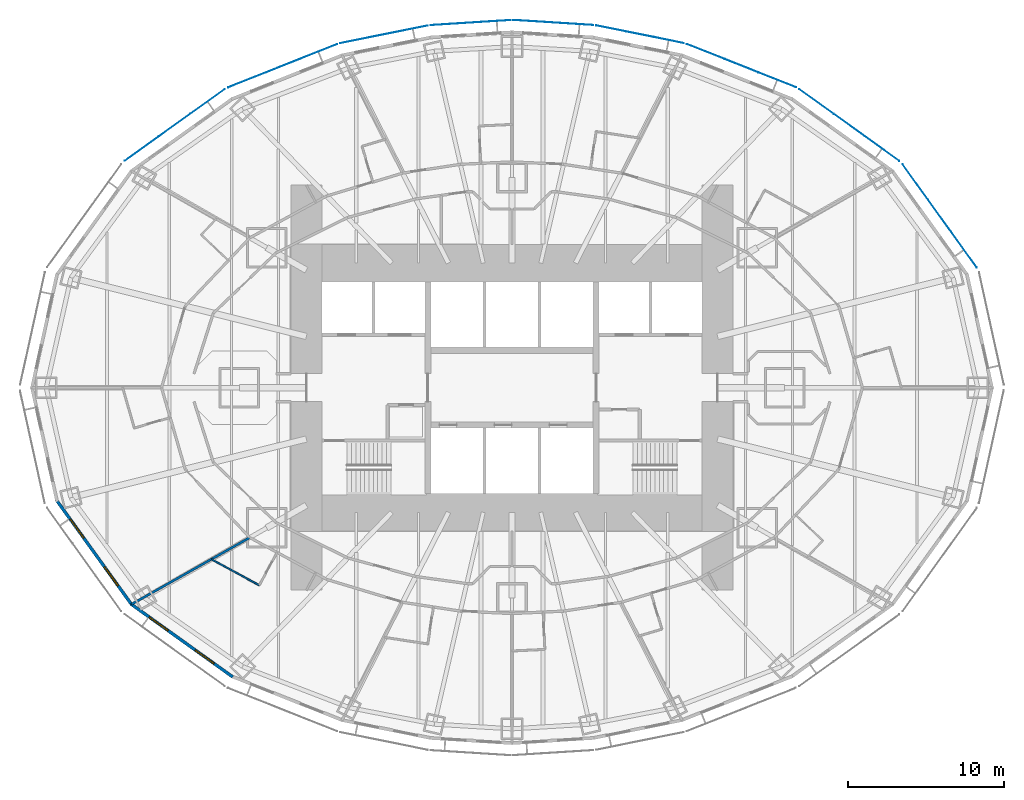
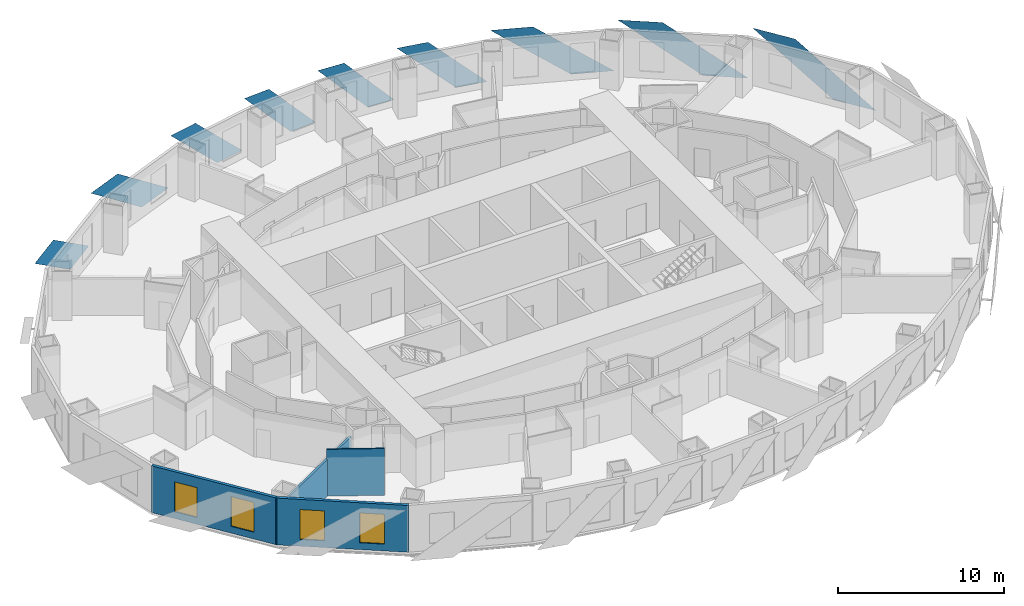
# One storey, part 4 of 15: 9 plates, 4 walls, 4 windows, 4 openings.
"""IFC4 building model written with IfcOpenShell, lengths in metres."""

from ifc_helpers import new_model, si_unit, direction, frame, frame_2d, origin, place, context, subcontext, project, spatial, polyline, rectangle, outline, extrude, material, layer, layer_set, type_object, element, fill, save


model = new_model("IFC4")

# Units and contexts
model_context = context("Model", 3, precision=1e-05, world=origin(), true_north=direction((0.0, 1.0)))
body_context = subcontext(model_context, "Body", "Model", "MODEL_VIEW")
ifc_project = project(units=[si_unit("LENGTHUNIT", "METRE"), si_unit("AREAUNIT", "SQUARE_METRE"), si_unit("VOLUMEUNIT", "CUBIC_METRE"), si_unit("PLANEANGLEUNIT", "RADIAN"), si_unit("MASSUNIT", "GRAM", prefix="KILO")], contexts=[model_context])

# Site, building, storey
site_placement = place(None, origin())
site = spatial("IfcSite", under=ifc_project, at=site_placement, CompositionType="ELEMENT")
building_placement = place(site_placement, origin())
building = spatial("IfcBuilding", under=site, at=building_placement, Name="Lantaw Convention Tower", CompositionType="ELEMENT")
storey_placement = place(building_placement, frame((0.0, 0.0, 83.800048828125)))
storey = spatial("IfcBuildingStorey", under=building, at=storey_placement, Name="L19", CompositionType="ELEMENT", Elevation=83.800048828125)

# Plates
ifc_material_1 = material(Name="Perforated aluminium sheet, pale silver finish", Category="aluminium")
ifc_layer_1 = layer(ifc_material_1, 0.006103515625)
ifc_layer_set_1 = layer_set([ifc_layer_1], Name="Perforated aluminium solar SCREEN panel")
plate_type = type_object("IfcPlateType", Name="Perforated aluminium solar SCREEN panel", PredefinedType="SHEET", material=ifc_layer_set_1)
plate_1_placement = place(storey_placement, frame((29.847900390625, 7.720947265625, -0.175048828125), z_axis=(0.811791382613, 0.583947558463, 9.019268e-06), x_axis=(-0.583947558486, 0.811791382646, 0.0)))
element("IfcPlate", 1, at=plate_1_placement, inside=storey, type_object=plate_type, Name="Solar SCREEN panel", PredefinedType="SHEET", context=body_context, shape_type="SweptSolid", body=[
    extrude(outline(polyline([(0.0, 0.0), (2.809541672291133, 0.0), (8.163093158837512, 3.739990234527119), (5.353551486546379, 3.739990234527119), (0.0, 0.0)])), origin(), (0.0, 0.0, -1.0), 0.006103515625),
])
plate_2_placement = place(storey_placement, frame((24.872314453125, 14.555908203125, -0.175048828125), z_axis=(0.582561421998, 0.812786681331, 1.5819417e-05), x_axis=(-0.812786681433, 0.582561422071, 0.0)))
element("IfcPlate", 2, at=plate_2_placement, inside=storey, type_object=plate_type, Name="Solar SCREEN panel", PredefinedType="SHEET", context=body_context, shape_type="SweptSolid", body=[
    extrude(outline(polyline([(0.0, 0.0), (2.721095180812288, 3.3881317890172014e-21), (7.903118572410756, 3.739990234842974), (5.182023391598468, 3.739990234842974), (0.0, 0.0)])), origin(), (0.0, 0.0, -1.0), 0.006103515625),
])
plate_3_placement = place(storey_placement, frame((18.232177734375, 19.278076171875, -0.175048828125), z_axis=(-0.369183532846, -0.929356508016, 9.163296e-06), x_axis=(-0.929356508055, 0.369183532862, 0.0)))
element("IfcPlate", 3, at=plate_3_placement, inside=storey, type_object=plate_type, Name="Solar SCREEN panel", PredefinedType="SHEET", context=body_context, shape_type="SweptSolid", body=[
    extrude(outline(polyline([(0.0, 0.0), (2.594936467166582, -1.6940658945086007e-21), (7.5321069917580825, -3.739990234532016), (4.937170524591499, -3.739990234532016), (0.0, 0.0)])), origin(), (0.0, 0.0, -1.0), 0.006103515625),
])
plate_4_placement = place(storey_placement, frame((11.03271484375, 22.117919921875, -0.175048828125), z_axis=(-0.197781876197, -0.980246055561, 2.418535e-06), x_axis=(-0.980246055563, 0.197781876198, 1.46e-10)))
element("IfcPlate", 4, at=plate_4_placement, inside=storey, type_object=plate_type, Name="Solar SCREEN panel", PredefinedType="SHEET", context=body_context, shape_type="SweptSolid", body=[
    extrude(outline(polyline([(0.0, 0.0), (1.9867801772236329, -3.1763735522036263e-22), (5.743587245978565, -3.7399902335493134), (3.7568553553458006, -3.739990234128105), (0.0, 0.0)])), origin(), (0.0, 0.0, -1.0), 0.006103515625),
])
plate_5_placement = place(storey_placement, frame((5.221923828125, 23.27783203125, -0.175048828125), z_axis=(-0.062923905251, -0.998018327468, 1.3605496e-05), x_axis=(-0.998018327561, 0.062923905257, 9.3e-10)))
element("IfcPlate", 5, at=plate_5_placement, inside=storey, type_object=plate_type, Name="Solar SCREEN panel", PredefinedType="SHEET", context=body_context, shape_type="SweptSolid", body=[
    extrude(outline(polyline([(0.0, 0.0), (1.7828375409377817, -2.117582368135751e-22), (5.143985963027618, -3.739990229938699), (3.3611637843713935, -3.7399902332537565), (0.0, 0.0)])), origin(), (0.0, 0.0, -1.0), 0.006103515625),
])
plate_6_placement = place(storey_placement, frame((-0.088134765625, 23.6015625, -0.175048828125), z_axis=(-0.062923905251, 0.998018327468, 1.3605496e-05), x_axis=(-0.998018327561, -0.062923905257, -9.3e-10)))
element("IfcPlate", 6, at=plate_6_placement, inside=storey, type_object=plate_type, Name="Solar SCREEN panel", PredefinedType="SHEET", context=body_context, shape_type="SweptSolid", body=[
    extrude(outline(polyline([(0.0, 0.0), (1.782822178656225, -2.117582368135751e-22), (5.143985956073316, 3.7399902395036517), (3.3611484151355353, 3.7399902361885653), (0.0, 0.0)])), origin(), (0.0, 0.0, -1.0), 0.006103515625),
])
plate_7_placement = place(storey_placement, frame((-5.402587890625, 23.25390625, -0.175048828125), z_axis=(-0.197781876197, 0.980246055561, 2.418535e-06), x_axis=(-0.980246055563, -0.197781876198, -1.46e-10)))
element("IfcPlate", 7, at=plate_7_placement, inside=storey, type_object=plate_type, Name="Solar SCREEN panel", PredefinedType="SHEET", context=body_context, shape_type="SweptSolid", body=[
    extrude(outline(polyline([(0.0, 0.0), (1.9867318906327642, 1.0587911840678754e-22), (5.743587244888999, 3.7399902352225842), (3.7568070676653664, 3.7399902346437783), (0.0, 0.0)])), origin(), (0.0, 0.0, -1.0), 0.006103515625),
])
plate_8_placement = place(storey_placement, frame((-11.232177734375, 22.058837890625, -0.175048828125), z_axis=(-0.369183532846, 0.929356508016, 9.163296e-06), x_axis=(-0.929356508055, -0.369183532862, 0.0)))
element("IfcPlate", 8, at=plate_8_placement, inside=storey, type_object=plate_type, Name="Solar SCREEN panel", PredefinedType="SHEET", context=body_context, shape_type="SweptSolid", body=[
    extrude(outline(polyline([(0.0, 0.0), (2.594936467166582, 1.6940658945086007e-21), (7.5321069917580825, 3.739990234532016), (4.937170524591499, 3.739990234532016), (0.0, 0.0)])), origin(), (0.0, 0.0, -1.0), 0.006103515625),
])
plate_9_placement = place(storey_placement, frame((-18.44873046875, 19.159912109375, -0.175048828125), z_axis=(0.582561421998, -0.812786681331, 1.5819417e-05), x_axis=(-0.812786681433, -0.582561422071, 0.0)))
element("IfcPlate", 9, at=plate_9_placement, inside=storey, type_object=plate_type, Name="Solar SCREEN panel", PredefinedType="SHEET", context=body_context, shape_type="SweptSolid", body=[
    extrude(outline(polyline([(0.0, 0.0), (2.721095180812288, -3.3881317890172014e-21), (7.903118572410756, -3.739990234842974), (5.182023391598468, -3.739990234842974), (0.0, 0.0)])), origin(), (0.0, 0.0, -1.0), 0.006103515625),
])

# Wall
ifc_material_2 = material(Name="Moisture resistant gypsum board on steel studs", Category="steel")
ifc_layer_2 = layer(ifc_material_2, 0.10009765625)
ifc_layer_set_2 = layer_set([ifc_layer_2], Name="Bathroom wall 100")
wall_type_1 = type_object("IfcWallType", Name="Bathroom wall 100", PredefinedType="PARTITIONING", material=ifc_layer_set_2)
wall_1_placement = place(storey_placement, frame((-16.224853515625, -12.683837890625, 0.0), z_axis=(0.0, 0.0, 1.0), x_axis=(-0.878473578893, 0.477790928322, 0.0)))
element("IfcWall", 10, at=wall_1_placement, inside=storey, type_object=wall_type_1, Name="Bathroom wall 100", PredefinedType="PARTITIONING", context=body_context, shape_type="SweptSolid", body=[
    extrude(rectangle(XDim=3.48291015625, YDim=0.10009765625, at=frame_2d((1.741455078125, 0.0))), origin(), (0.0, 0.0, 1.0), 3.449951171875),
])

# Wall, openings, windows
ifc_material_3 = material(Name="Insulated aluminium panel on steel frame", Category="steel")
ifc_layer_3 = layer(ifc_material_3, 0.199951171875)
ifc_layer_set_3 = layer_set([ifc_layer_3], Name="External wall 200")
wall_type_2 = type_object("IfcWallType", Name="External wall 200", PredefinedType="SOLIDWALL", material=ifc_layer_set_3)
wall_2_placement = place(storey_placement, frame((-29.260498046875, -7.199951171875, 0.0), z_axis=(0.0, 0.0, 1.0), x_axis=(0.583937613703, -0.811798536155, 0.0)))
wall_2 = element("IfcWall", 11, at=wall_2_placement, inside=storey, type_object=wall_type_2, Name="Facade panel wall", PredefinedType="SOLIDWALL", context=body_context, shape_type="SweptSolid", body=[
    extrude(rectangle(XDim=8.322998046875, YDim=0.199951171875, at=frame_2d((4.16162109375, 0.0))), origin(), (0.0, 0.0, 1.0), 3.449951171875),
])
opening_1_placement = place(wall_2_placement, frame((1.53076171875, 0.0, 0.5)))
opening_1 = element("IfcOpeningElement", 12, at=opening_1_placement, cuts=wall_2, Name="Opening W2", PredefinedType="OPENING", context=body_context, shape_type="SweptSolid", body=[
    extrude(rectangle(XDim=1.5, YDim=2.199951171875, at=frame_2d((0.75, 1.10009765625))), frame((0.0, 0.10986328125, 0.0), z_axis=(0.0, -1.0, 0.0), x_axis=(1.0, 0.0, 0.0)), (0.0, 0.0, 1.0), 0.219970703125),
])
opening_2_placement = place(wall_2_placement, frame((5.292236328125, 0.0, 0.5)))
opening_2 = element("IfcOpeningElement", 13, at=opening_2_placement, cuts=wall_2, Name="Opening W2", PredefinedType="OPENING", context=body_context, shape_type="SweptSolid", body=[
    extrude(rectangle(XDim=1.5, YDim=2.199951171875, at=frame_2d((0.75, 1.10009765625))), frame((0.0, 0.10986328125, 0.0), z_axis=(0.0, -1.0, 0.0), x_axis=(1.0, 0.0, 0.0)), (0.0, 0.0, 1.0), 0.219970703125),
])
ifc_material_4 = material(Name="Aluminium frame, clear insulating glass", Category="aluminium")
window_type = type_object("IfcWindowType", Name="Suite window 1500x2200", PartitioningType="SINGLE_PANEL", PredefinedType="WINDOW", material=ifc_material_4)
window_1_placement = place(opening_1_placement, origin())
window_1 = element("IfcWindow", 14, at=window_1_placement, inside=storey, type_object=window_type, Name="Guest room window", OverallHeight=2.199951171875, OverallWidth=1.5, PartitioningType="SINGLE_PANEL", PredefinedType="WINDOW", context=body_context, shape_type="SweptSolid", body=[
    extrude(rectangle(XDim=1.5, YDim=2.199951171875, at=frame_2d((0.75, 1.10009765625))), frame((0.0, 0.030029296875, 0.0), z_axis=(0.0, -1.0, 0.0), x_axis=(1.0, 0.0, 0.0)), (0.0, 0.0, 1.0), 0.06005859375),
])
fill(opening_1, window_1)
window_2_placement = place(opening_2_placement, origin())
window_2 = element("IfcWindow", 15, at=window_2_placement, inside=storey, type_object=window_type, Name="Guest room window", OverallHeight=2.199951171875, OverallWidth=1.5, PartitioningType="SINGLE_PANEL", PredefinedType="WINDOW", context=body_context, shape_type="SweptSolid", body=[
    extrude(rectangle(XDim=1.5, YDim=2.199951171875, at=frame_2d((0.75, 1.10009765625))), frame((0.0, 0.030029296875, 0.0), z_axis=(0.0, -1.0, 0.0), x_axis=(1.0, 0.0, 0.0)), (0.0, 0.0, 1.0), 0.06005859375),
])
fill(opening_2, window_2)

wall_3_placement = place(storey_placement, frame((-24.482421875, -13.87451171875, 0.0), z_axis=(0.0, 0.0, 1.0), x_axis=(0.812791321576, -0.582554948112, 0.0)))
wall_3 = element("IfcWall", 16, at=wall_3_placement, inside=storey, type_object=wall_type_2, Name="Facade panel wall", PredefinedType="SOLIDWALL", context=body_context, shape_type="SweptSolid", body=[
    extrude(rectangle(XDim=8.063232421875, YDim=0.199951171875, at=frame_2d((4.03173828125, 0.0))), origin(), (0.0, 0.0, 1.0), 3.449951171875),
])
opening_3_placement = place(wall_3_placement, frame((1.4658203125, 0.0, 0.5)))
opening_3 = element("IfcOpeningElement", 17, at=opening_3_placement, cuts=wall_3, Name="Opening W2", PredefinedType="OPENING", context=body_context, shape_type="SweptSolid", body=[
    extrude(rectangle(XDim=1.5, YDim=2.199951171875, at=frame_2d((0.75, 1.10009765625))), frame((0.0, 0.10986328125, 0.0), z_axis=(0.0, -1.0, 0.0), x_axis=(1.0, 0.0, 0.0)), (0.0, 0.0, 1.0), 0.219970703125),
])
opening_4_placement = place(wall_3_placement, frame((5.097412109375, 0.0, 0.5)))
opening_4 = element("IfcOpeningElement", 18, at=opening_4_placement, cuts=wall_3, Name="Opening W2", PredefinedType="OPENING", context=body_context, shape_type="SweptSolid", body=[
    extrude(rectangle(XDim=1.5, YDim=2.199951171875, at=frame_2d((0.75, 1.10009765625))), frame((0.0, 0.10986328125, 0.0), z_axis=(0.0, -1.0, 0.0), x_axis=(1.0, 0.0, 0.0)), (0.0, 0.0, 1.0), 0.219970703125),
])
window_3_placement = place(opening_3_placement, origin())
window_3 = element("IfcWindow", 19, at=window_3_placement, inside=storey, type_object=window_type, Name="Guest room window", OverallHeight=2.199951171875, OverallWidth=1.5, PartitioningType="SINGLE_PANEL", PredefinedType="WINDOW", context=body_context, shape_type="SweptSolid", body=[
    extrude(rectangle(XDim=1.5, YDim=2.199951171875, at=frame_2d((0.75, 1.10009765625))), frame((0.0, 0.030029296875, 0.0), z_axis=(0.0, -1.0, 0.0), x_axis=(1.0, 0.0, 0.0)), (0.0, 0.0, 1.0), 0.06005859375),
])
fill(opening_3, window_3)
window_4_placement = place(opening_4_placement, origin())
window_4 = element("IfcWindow", 20, at=window_4_placement, inside=storey, type_object=window_type, Name="Guest room window", OverallHeight=2.199951171875, OverallWidth=1.5, PartitioningType="SINGLE_PANEL", PredefinedType="WINDOW", context=body_context, shape_type="SweptSolid", body=[
    extrude(rectangle(XDim=1.5, YDim=2.199951171875, at=frame_2d((0.75, 1.10009765625))), frame((0.0, 0.030029296875, 0.0), z_axis=(0.0, -1.0, 0.0), x_axis=(1.0, 0.0, 0.0)), (0.0, 0.0, 1.0), 0.06005859375),
])
fill(opening_4, window_4)

# Wall
ifc_material_5 = material(Name="Gypsum board on steel studs, acoustic", Category="steel")
ifc_layer_4 = layer(ifc_material_5, 0.14990234375)
ifc_layer_set_4 = layer_set([ifc_layer_4], Name="Guest room party wall 150")
wall_type_3 = type_object("IfcWallType", Name="Guest room party wall 150", PredefinedType="PARTITIONING", material=ifc_layer_set_4)
wall_4_placement = place(storey_placement, frame((-24.434814453125, -13.90869140625, 0.0), z_axis=(0.0, 0.0, 1.0), x_axis=(0.87090601027, 0.491449612143, 0.0)))
element("IfcWall", 21, at=wall_4_placement, inside=storey, type_object=wall_type_3, Name="Guest room party wall 150", PredefinedType="PARTITIONING", context=body_context, shape_type="SweptSolid", body=[
    extrude(rectangle(XDim=8.726318359375, YDim=0.14990234375, at=frame_2d((4.36328125, 0.0))), origin(), (0.0, 0.0, 1.0), 2.693115234375),
])

save(model, "model.ifc")
